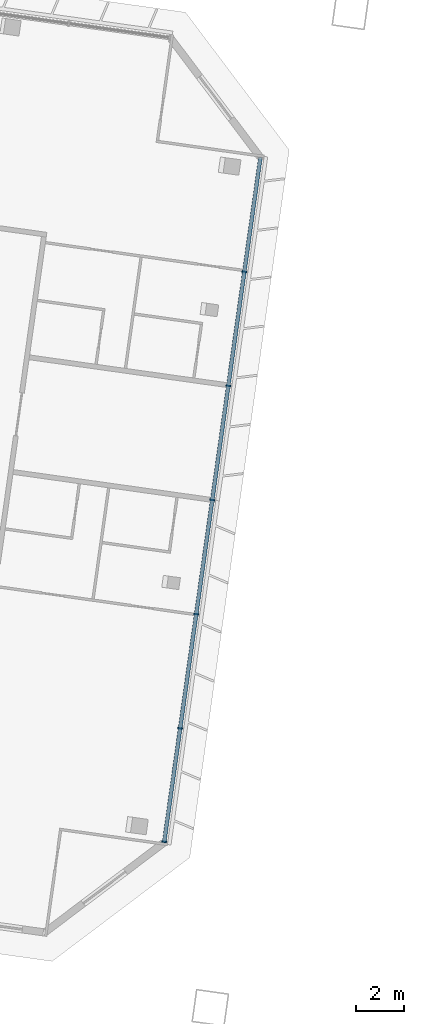
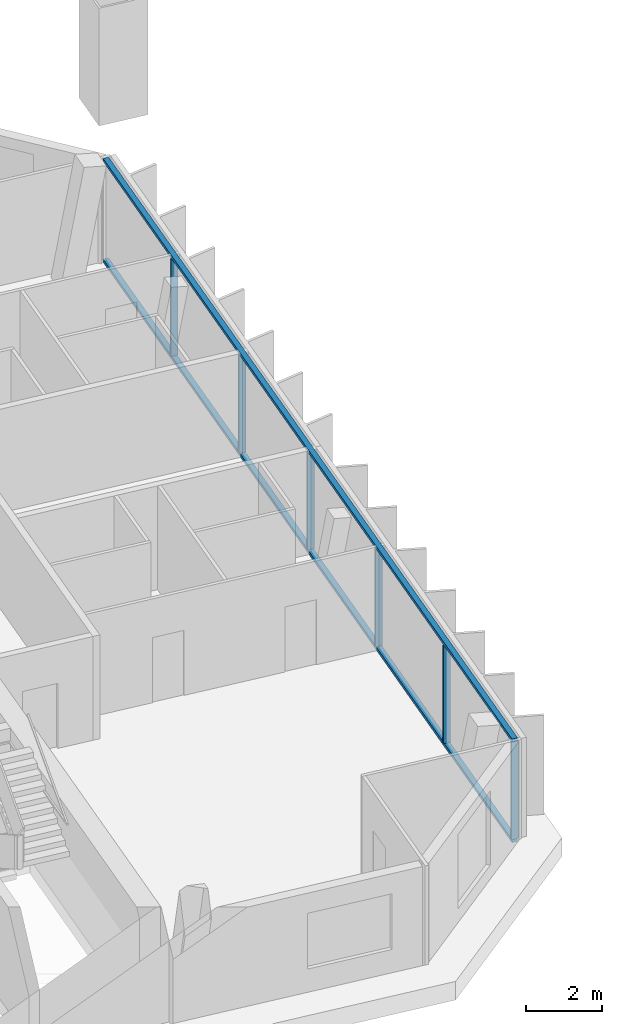
# One storey, part 5 of 26: 8 members, 1 element without a shape of its own.
"""IFC4 building model written with IfcOpenShell, lengths in metres."""

from ifc_helpers import new_model, si_unit, direction, frame, origin, origin_2d, place, context, subcontext, project, spatial, rectangle, extrude, material, material_profile, profile_set, type_object, element, aggregate, save


model = new_model("IFC4")

# Units and contexts
model_context = context("Model", 3, precision=1e-05, world=origin(), true_north=direction((0.0, 1.0)))
body_context = subcontext(model_context, "Body", "Model", "MODEL_VIEW")
ifc_project = project(units=[si_unit("LENGTHUNIT", "METRE"), si_unit("AREAUNIT", "SQUARE_METRE"), si_unit("VOLUMEUNIT", "CUBIC_METRE"), si_unit("PLANEANGLEUNIT", "RADIAN"), si_unit("MASSUNIT", "GRAM", prefix="KILO")], contexts=[model_context])

# Site, building, storey
site_placement = place(None, origin())
site = spatial("IfcSite", under=ifc_project, at=site_placement, CompositionType="ELEMENT")
building_placement = place(site_placement, origin())
building = spatial("IfcBuilding", under=site, at=building_placement, Name="Mirante Cascada Hotel Towers", CompositionType="ELEMENT")
storey_placement = place(building_placement, frame((0.0, 0.0, 228.0)))
storey = spatial("IfcBuildingStorey", under=building, at=storey_placement, Name="L54", CompositionType="ELEMENT", Elevation=228.0)

# Curtain wall, members
ifc_material_1 = material(Name="Aluminium mullion and transom frame with clear laminated glass", Category="aluminium")
curtain_wall_type = type_object("IfcCurtainWallType", Name="End ribbon curtain wall ECW2", PredefinedType="NOTDEFINED", material=ifc_material_1)
curtain_wall_placement = place(storey_placement, origin())
curtain_wall = element("IfcCurtainWall", 1, at=curtain_wall_placement, inside=storey, type_object=curtain_wall_type, Name="Inner end wall T1 L54", PredefinedType="NOTDEFINED")
ifc_material_2 = material(Name="Anodised aluminium extrusion", Category="aluminium")
ifc_material_profile_1 = material_profile(ifc_material_2, rectangle(XDim=0.2, YDim=0.065, at=origin_2d()), Name="ECW2 MULLION 65x200")
ifc_profile_set_1 = profile_set([ifc_material_profile_1], Name="Anodised aluminium extrusion")
member_type_1 = type_object("IfcMemberType", Name="ECW2 mullion 65x200", PredefinedType="MULLION", material=ifc_profile_set_1)
member_1_placement = place(storey_placement, frame((-21.9382, 6.5868, 0.1), z_axis=(0.0, 0.0, 1.0), x_axis=(0.9902681, -0.1391731, 0.0)))
member_1 = element("IfcMember", 2, at=member_1_placement, type_object=member_type_1, Name="ECW2 mullion 2", PredefinedType="MULLION", context=body_context, shape_type="SweptSolid", body=[
    extrude(rectangle(XDim=0.2, YDim=0.065, at=origin_2d()), origin(), (0.0, 0.0, 1.0), 3.15),
])
member_2_placement = place(storey_placement, frame((-22.608, 1.821, 0.1), z_axis=(0.0, 0.0, 1.0), x_axis=(0.9902681, -0.1391731, 0.0)))
member_2 = element("IfcMember", 3, at=member_2_placement, type_object=member_type_1, Name="ECW2 mullion 3", PredefinedType="MULLION", context=body_context, shape_type="SweptSolid", body=[
    extrude(rectangle(XDim=0.2, YDim=0.065, at=origin_2d()), origin(), (0.0, 0.0, 1.0), 3.15),
])
member_3_placement = place(storey_placement, frame((-23.2778, -2.9447, 0.1), z_axis=(0.0, 0.0, 1.0), x_axis=(0.9902681, -0.1391731, 0.0)))
member_3 = element("IfcMember", 4, at=member_3_placement, type_object=member_type_1, Name="ECW2 mullion 4", PredefinedType="MULLION", context=body_context, shape_type="SweptSolid", body=[
    extrude(rectangle(XDim=0.2, YDim=0.065, at=origin_2d()), origin(), (0.0, 0.0, 1.0), 3.15),
])
member_4_placement = place(storey_placement, frame((-23.9476, -7.7105, 0.1), z_axis=(0.0, 0.0, 1.0), x_axis=(0.9902681, -0.1391731, 0.0)))
member_4 = element("IfcMember", 5, at=member_4_placement, type_object=member_type_1, Name="ECW2 mullion 5", PredefinedType="MULLION", context=body_context, shape_type="SweptSolid", body=[
    extrude(rectangle(XDim=0.2, YDim=0.065, at=origin_2d()), origin(), (0.0, 0.0, 1.0), 3.15),
])
member_5_placement = place(storey_placement, frame((-24.6174, -12.4763, 0.1), z_axis=(0.0, 0.0, 1.0), x_axis=(0.9902681, -0.1391731, 0.0)))
member_5 = element("IfcMember", 6, at=member_5_placement, type_object=member_type_1, Name="ECW2 mullion 6", PredefinedType="MULLION", context=body_context, shape_type="SweptSolid", body=[
    extrude(rectangle(XDim=0.2, YDim=0.065, at=origin_2d()), origin(), (0.0, 0.0, 1.0), 3.15),
])
member_6_placement = place(storey_placement, frame((-25.2826, -17.2099, 0.1), z_axis=(0.0, 0.0, 1.0), x_axis=(0.9902681, -0.1391731, 0.0)))
member_6 = element("IfcMember", 7, at=member_6_placement, type_object=member_type_1, Name="ECW2 mullion 7", PredefinedType="MULLION", context=body_context, shape_type="SweptSolid", body=[
    extrude(rectangle(XDim=0.2, YDim=0.065, at=origin_2d()), origin(), (0.0, 0.0, 1.0), 3.15),
])
ifc_material_3 = material(Name="Anodised aluminium extrusion", Category="aluminium")
ifc_material_profile_2 = material_profile(ifc_material_3, rectangle(XDim=0.16, YDim=0.1, at=origin_2d()), Name="ECW2 TRANSOM 100x160")
ifc_profile_set_2 = profile_set([ifc_material_profile_2], Name="Anodised aluminium extrusion")
member_type_2 = type_object("IfcMemberType", Name="ECW2 transom 100x160", PredefinedType="USERDEFINED", material=ifc_profile_set_2)
member_7_placement = place(storey_placement, frame((-21.2684, 11.3526, 0.05), z_axis=(-0.1391723, -0.9902682, 0.0), x_axis=(0.9902682, -0.1391723, 0.0)))
member_7 = element("IfcMember", 8, at=member_7_placement, type_object=member_type_2, Name="ECW2 sill transom", ObjectType="TRANSOM", PredefinedType="USERDEFINED", context=body_context, shape_type="SweptSolid", body=[
    extrude(rectangle(XDim=0.16, YDim=0.1, at=origin_2d()), origin(), (0.0, 0.0, 1.0), 28.8757),
])
member_8_placement = place(storey_placement, frame((-21.2684, 11.3526, 3.3), z_axis=(-0.1391723, -0.9902682, 0.0), x_axis=(0.9902682, -0.1391723, 0.0)))
member_8 = element("IfcMember", 9, at=member_8_placement, type_object=member_type_2, Name="ECW2 head transom", ObjectType="TRANSOM", PredefinedType="USERDEFINED", context=body_context, shape_type="SweptSolid", body=[
    extrude(rectangle(XDim=0.16, YDim=0.1, at=origin_2d()), origin(), (0.0, 0.0, 1.0), 28.8757),
])
aggregate(curtain_wall, [member_7, member_8, member_1, member_2, member_3, member_4, member_5, member_6])

save(model, "model.ifc")
